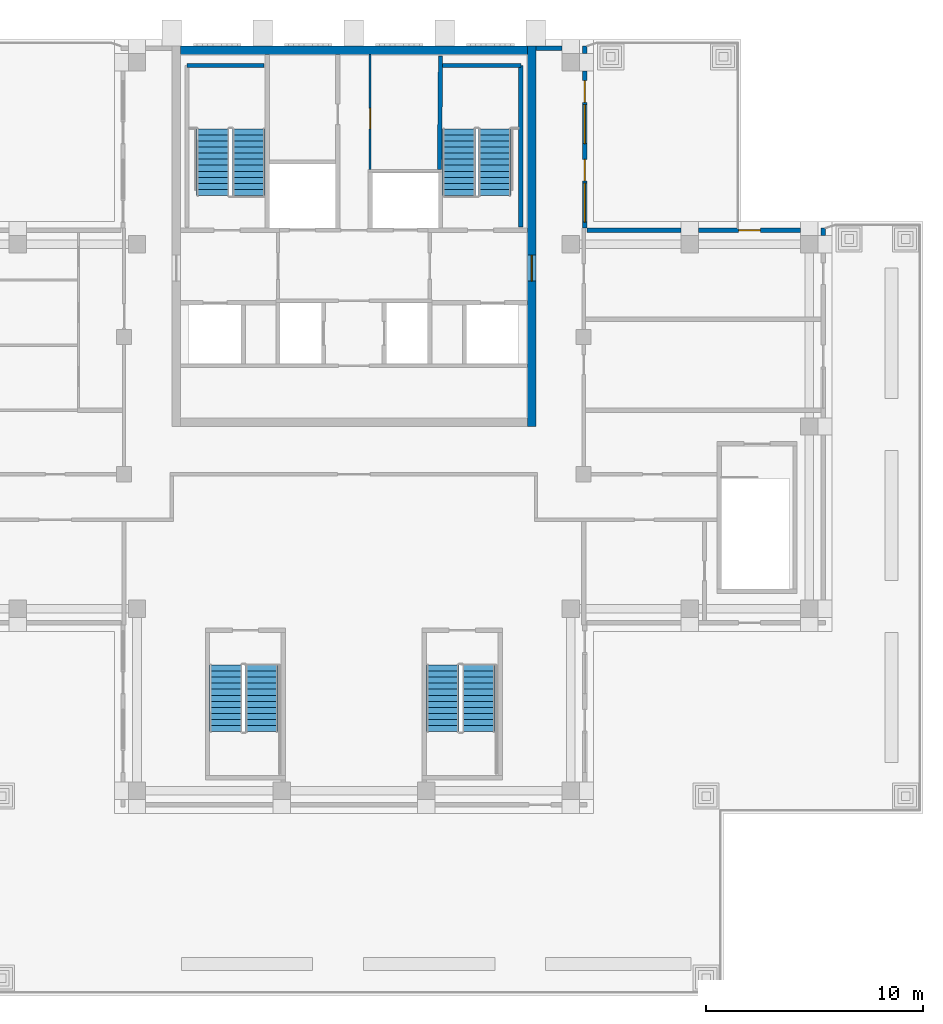
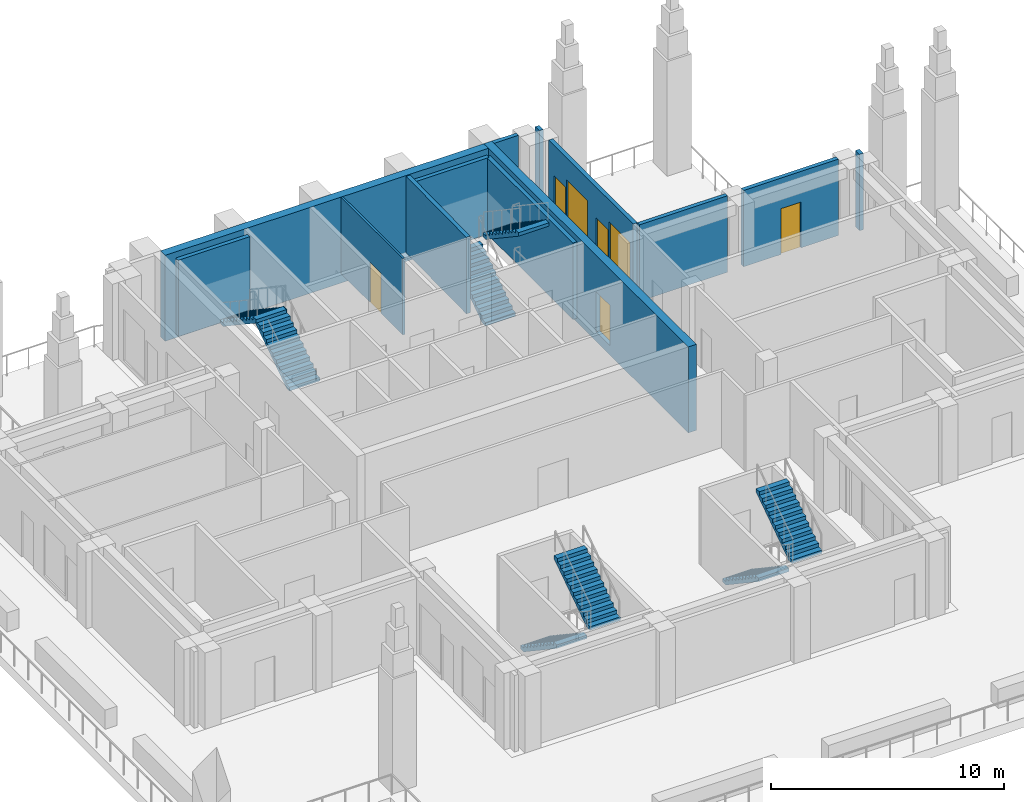
# One storey, part 5 of 10: 13 walls, 8 stair flights, 5 doors, 2 windows, 7 openings, 4 elements without a shape of their own.
"""IFC4 building model written with IfcOpenShell, lengths in metres."""

from ifc_helpers import new_model, si_unit, direction, frame, frame_2d, origin, place, context, subcontext, project, spatial, polyline, rectangle, outline, extrude, material, layer, layer_set, type_object, element, fill, aggregate, save


model = new_model("IFC4")

# Units and contexts
model_context = context("Model", 3, precision=1e-05, world=origin(), true_north=direction((0.0, 1.0)))
body_context = subcontext(model_context, "Body", "Model", "MODEL_VIEW")
ifc_project = project(units=[si_unit("LENGTHUNIT", "METRE"), si_unit("AREAUNIT", "SQUARE_METRE"), si_unit("VOLUMEUNIT", "CUBIC_METRE"), si_unit("PLANEANGLEUNIT", "RADIAN"), si_unit("MASSUNIT", "GRAM", prefix="KILO")], contexts=[model_context])

# Site, building, storey
site_placement = place(None, origin())
site = spatial("IfcSite", under=ifc_project, at=site_placement, CompositionType="ELEMENT")
building_placement = place(site_placement, origin())
building = spatial("IfcBuilding", under=site, at=building_placement, Name="Vermilion Ogive Tower", CompositionType="ELEMENT")
storey_placement = place(building_placement, frame((0.0, 0.0, 269.35009765625)))
storey = spatial("IfcBuildingStorey", under=building, at=storey_placement, Name="L71", CompositionType="ELEMENT", Elevation=269.35009765625)

# Wall, opening, door
ifc_material_1 = material(Name="Concrete B60", Category="concrete")
ifc_layer_1 = layer(ifc_material_1, 0.39990234375)
ifc_layer_set_1 = layer_set([ifc_layer_1], Name="Core wall 400 B60")
wall_type_1 = type_object("IfcWallType", Name="Core wall 400 B60", PredefinedType="SHEAR", material=ifc_layer_set_1)
wall_1_placement = place(storey_placement, frame((8.199951171875, 4.199951171875, -0.5), z_axis=(0.0, 0.0, 1.0), x_axis=(0.0, 1.0, 0.0)))
wall_1 = element("IfcWall", 1, at=wall_1_placement, inside=storey, type_object=wall_type_1, Name="L71-CORE-E", PredefinedType="SHEAR", context=body_context, shape_type="SweptSolid", body=[
    extrude(rectangle(XDim=17.550048828125, YDim=0.39990234375, at=frame_2d((8.77490234375, 0.0))), origin(), (0.0, 0.0, 1.0), 4.5),
])
opening_1_placement = place(wall_1_placement, frame((6.699951171875, 0.0, 0.5)))
opening_1 = element("IfcOpeningElement", 2, at=opening_1_placement, cuts=wall_1, Name="Opening DAY001", PredefinedType="OPENING", context=body_context, shape_type="SweptSolid", body=[
    extrude(rectangle(XDim=1.199951171875, YDim=2.10009765625, at=frame_2d((0.60009765625, 1.050048828125))), frame((0.0, 0.2099609375, 0.0), z_axis=(0.0, -1.0, 0.0), x_axis=(1.0, 0.0, 0.0)), (0.0, 0.0, 1.0), 0.419921875),
])
ifc_material_2 = material(Name="Timber door leaf", Category="wood")
door_type_1 = type_object("IfcDoorType", Name="Link door 1200 x 2100 FD60S", OperationType="SINGLE_SWING_LEFT", PredefinedType="DOOR", material=ifc_material_2)
door_1_placement = place(opening_1_placement, origin())
door_1 = element("IfcDoor", 3, at=door_1_placement, inside=storey, type_object=door_type_1, Name="L71-CK-XD2", OperationType="SINGLE_SWING_LEFT", OverallHeight=2.10009765625, OverallWidth=1.199951171875, PredefinedType="DOOR", context=body_context, shape_type="SweptSolid", body=[
    extrude(rectangle(XDim=1.199951171875, YDim=2.10009765625, at=frame_2d((0.60009765625, 1.050048828125))), frame((0.0, 0.02490234375, 0.0), z_axis=(0.0, -1.0, 0.0), x_axis=(1.0, 0.0, 0.0)), (0.0, 0.0, 1.0), 0.050048828125),
])
fill(opening_1, door_1)

# Wall
wall_2_placement = place(storey_placement, frame((-8.0, 21.550048828125, -0.5), z_axis=(0.0, 0.0, 1.0), x_axis=(1.0, 0.0, 0.0)))
element("IfcWall", 4, at=wall_2_placement, inside=storey, type_object=wall_type_1, Name="L71-CORE-N", PredefinedType="SHEAR", context=body_context, shape_type="SweptSolid", body=[
    extrude(rectangle(XDim=16.0, YDim=0.39990234375, at=frame_2d((8.0, 0.0))), origin(), (0.0, 0.0, 1.0), 4.5),
])

# Wall, opening, door
ifc_material_3 = material(Name="Gypsum board partition on steel studs", Category="steel")
ifc_layer_2 = layer(ifc_material_3, 0.10009765625)
ifc_layer_set_2 = layer_set([ifc_layer_2], Name="Partition 100 bath")
wall_type_2 = type_object("IfcWallType", Name="Partition 100 bath", PredefinedType="PARTITIONING", material=ifc_layer_set_2)
wall_3_placement = place(storey_placement, frame((0.75, 16.050048828125, 0.0), z_axis=(0.0, 0.0, 1.0), x_axis=(0.0, 1.0, 0.0)))
wall_3 = element("IfcWall", 5, at=wall_3_placement, inside=storey, type_object=wall_type_2, Name="L71-CK-W-W017", PredefinedType="PARTITIONING", context=body_context, shape_type="SweptSolid", body=[
    extrude(rectangle(XDim=5.299072265625, YDim=0.10009765625, at=frame_2d((2.6494140625, 0.0))), origin(), (0.0, 0.0, 1.0), 4.0),
])
opening_2_placement = place(wall_3_placement, frame((1.875, 0.0, 0.0)))
opening_2 = element("IfcOpeningElement", 6, at=opening_2_placement, cuts=wall_3, Name="Opening DAE007", PredefinedType="OPENING", context=body_context, shape_type="SweptSolid", body=[
    extrude(rectangle(XDim=0.949951171875, YDim=2.10009765625, at=frame_2d((0.47509765625, 1.050048828125))), frame((0.0, 0.06005859375, 0.0), z_axis=(0.0, -1.0, 0.0), x_axis=(1.0, 0.0, 0.0)), (0.0, 0.0, 1.0), 0.1201171875),
])
ifc_material_4 = material(Name="Timber door leaf", Category="wood")
door_type_2 = type_object("IfcDoorType", Name="Service door 950 x 2100 FD60", OperationType="SINGLE_SWING_LEFT", PredefinedType="DOOR", material=ifc_material_4)
door_2_placement = place(opening_2_placement, origin())
door_2 = element("IfcDoor", 7, at=door_2_placement, inside=storey, type_object=door_type_2, Name="L71-CK-D-D013", OperationType="SINGLE_SWING_LEFT", OverallHeight=2.10009765625, OverallWidth=0.949951171875, PredefinedType="DOOR", context=body_context, shape_type="SweptSolid", body=[
    extrude(rectangle(XDim=0.949951171875, YDim=2.10009765625, at=frame_2d((0.47509765625, 1.050048828125))), frame((0.0, 0.02490234375, 0.0), z_axis=(0.0, -1.0, 0.0), x_axis=(1.0, 0.0, 0.0)), (0.0, 0.0, 1.0), 0.050048828125),
])
fill(opening_2, door_2)

# Walls
ifc_material_5 = material(Name="Concrete B60", Category="concrete")
ifc_layer_3 = layer(ifc_material_5, 0.199951171875)
ifc_layer_set_3 = layer_set([ifc_layer_3], Name="Stair shaft wall 200 Concrete B60")
wall_type_3 = type_object("IfcWallType", Name="Stair shaft wall 200 Concrete B60", PredefinedType="SOLIDWALL", material=ifc_layer_set_3)
wall_4_placement = place(storey_placement, frame((3.949951171875, 16.050048828125, 0.0), z_axis=(0.0, 0.0, 1.0), x_axis=(0.009534450323, 0.999954546095, 0.0)))
element("IfcWall", 8, at=wall_4_placement, inside=storey, type_object=wall_type_3, Name="L71-CK-W-W022", PredefinedType="SOLIDWALL", context=body_context, shape_type="SweptSolid", body=[
    extrude(rectangle(XDim=5.249267578125, YDim=0.199951171875, at=frame_2d((2.62451171875, 0.0))), origin(), (0.0, 0.0, 1.0), 4.0),
])
wall_5_placement = place(storey_placement, frame((-7.699951171875, 20.85009765625, 0.0), z_axis=(0.0, 0.0, 1.0), x_axis=(1.0, 0.0, 0.0)))
element("IfcWall", 9, at=wall_5_placement, inside=storey, type_object=wall_type_3, Name="L71-SW-R003-N1", PredefinedType="SOLIDWALL", context=body_context, shape_type="SweptSolid", body=[
    extrude(rectangle(XDim=3.550048828125, YDim=0.199951171875, at=frame_2d((1.77490234375, 0.0))), origin(), (0.0, 0.0, 1.0), 4.0),
])
wall_6_placement = place(storey_placement, frame((7.699951171875, 13.39990234375, 0.0), z_axis=(0.0, 0.0, 1.0), x_axis=(0.0, 1.0, 0.0)))
element("IfcWall", 10, at=wall_6_placement, inside=storey, type_object=wall_type_3, Name="L71-SW-R007-E1", PredefinedType="SOLIDWALL", context=body_context, shape_type="SweptSolid", body=[
    extrude(rectangle(XDim=7.4501953125, YDim=0.199951171875, at=frame_2d((3.72509765625, 0.0))), origin(), (0.0, 0.0, 1.0), 4.0),
])
wall_7_placement = place(storey_placement, frame((4.10009765625, 20.85009765625, 0.0), z_axis=(0.0, 0.0, 1.0), x_axis=(1.0, 0.0, 0.0)))
element("IfcWall", 11, at=wall_7_placement, inside=storey, type_object=wall_type_3, Name="L71-SW-R007-N1", PredefinedType="SOLIDWALL", context=body_context, shape_type="SweptSolid", body=[
    extrude(rectangle(XDim=3.599853515625, YDim=0.199951171875, at=frame_2d((1.7998046875, 0.0))), origin(), (0.0, 0.0, 1.0), 4.0),
])
ifc_material_6 = material(Name="Aluminium window wall framing", Category="aluminium")
ifc_layer_4 = layer(ifc_material_6, 0.199951171875)
ifc_layer_set_4 = layer_set([ifc_layer_4], Name="Window wall")
wall_type_4 = type_object("IfcWallType", Name="Window wall", PredefinedType="STANDARD", material=ifc_layer_set_4)
wall_8_placement = place(storey_placement, frame((21.64990234375, 13.0, 0.0), z_axis=(0.0, 0.0, 1.0), x_axis=(0.0, 1.0, 0.0)))
element("IfcWall", 12, at=wall_8_placement, inside=storey, type_object=wall_type_4, Name="Window wall E3", PredefinedType="STANDARD", context=body_context, shape_type="SweptSolid", body=[
    extrude(rectangle(XDim=0.35009765625, YDim=0.199951171875, at=frame_2d((0.175048828125, 0.0))), origin(), (0.0, 0.0, 1.0), 4.0),
])

# Wall, opening, door
wall_9_placement = place(storey_placement, frame((20.60009765625, 13.25, 0.0), z_axis=(0.0, 0.0, 1.0), x_axis=(-1.0, 0.0, 0.0)))
wall_9 = element("IfcWall", 13, at=wall_9_placement, inside=storey, type_object=wall_type_4, Name="Window wall X31", PredefinedType="STANDARD", context=body_context, shape_type="SweptSolid", body=[
    extrude(rectangle(XDim=4.7001953125, YDim=0.199951171875, at=frame_2d((2.35009765625, 0.0))), origin(), (0.0, 0.0, 1.0), 4.0),
])
opening_3_placement = place(wall_9_placement, frame((1.85009765625, 0.0, 0.0)))
opening_3 = element("IfcOpeningElement", 14, at=opening_3_placement, cuts=wall_9, Name="Opening D1-X3X", PredefinedType="OPENING", context=body_context, shape_type="SweptSolid", body=[
    extrude(rectangle(XDim=1.0, YDim=2.39990234375, at=frame_2d((0.5, 1.199951171875))), frame((0.0, 0.10986328125, 0.0), z_axis=(0.0, -1.0, 0.0), x_axis=(1.0, 0.0, 0.0)), (0.0, 0.0, 1.0), 0.219970703125),
])
ifc_material_7 = material(Name="Aluminium framed glazed door", Category="aluminium")
door_type_3 = type_object("IfcDoorType", Name="Balcony door D1", OperationType="SINGLE_SWING_LEFT", PredefinedType="DOOR", material=ifc_material_7)
door_3_placement = place(opening_3_placement, origin())
door_3 = element("IfcDoor", 15, at=door_3_placement, inside=storey, type_object=door_type_3, Name="Balcony door X3X", OperationType="SINGLE_SWING_LEFT", OverallHeight=2.39990234375, OverallWidth=1.0, PredefinedType="DOOR", context=body_context, shape_type="SweptSolid", body=[
    extrude(rectangle(XDim=1.0, YDim=2.39990234375, at=frame_2d((0.5, 1.199951171875))), frame((0.0, 0.02490234375, 0.0), z_axis=(0.0, -1.0, 0.0), x_axis=(1.0, 0.0, 0.0)), (0.0, 0.0, 1.0), 0.050048828125),
])
fill(opening_3, door_3)

# Wall
wall_10_placement = place(storey_placement, frame((15.10009765625, 13.25, 0.0), z_axis=(0.0, 0.0, 1.0), x_axis=(-1.0, 0.0, 0.0)))
element("IfcWall", 16, at=wall_10_placement, inside=storey, type_object=wall_type_4, Name="Window wall X32", PredefinedType="STANDARD", context=body_context, shape_type="SweptSolid", body=[
    extrude(rectangle(XDim=4.35009765625, YDim=0.199951171875, at=frame_2d((2.175048828125, 0.0))), origin(), (0.0, 0.0, 1.0), 4.0),
])

# Wall, openings, doors, windows
wall_11_placement = place(storey_placement, frame((10.64990234375, 13.35009765625, 0.0), z_axis=(0.0, 0.0, 1.0), x_axis=(0.0, 1.0, 0.0)))
wall_11 = element("IfcWall", 17, at=wall_11_placement, inside=storey, type_object=wall_type_4, Name="Window wall X41", PredefinedType="STANDARD", context=body_context, shape_type="SweptSolid", body=[
    extrude(rectangle(XDim=7.25, YDim=0.199951171875, at=frame_2d((3.625, 0.0))), origin(), (0.0, 0.0, 1.0), 4.0),
])
opening_4_placement = place(wall_11_placement, frame((0.27490234375, 0.0, 0.199951171875)))
opening_4 = element("IfcOpeningElement", 18, at=opening_4_placement, cuts=wall_11, Name="Opening W1-X403", PredefinedType="OPENING", context=body_context, shape_type="SweptSolid", body=[
    extrude(rectangle(XDim=1.800048828125, YDim=2.64990234375, at=frame_2d((0.89990234375, 1.324951171875))), frame((0.0, 0.10986328125, 0.0), z_axis=(0.0, -1.0, 0.0), x_axis=(1.0, 0.0, 0.0)), (0.0, 0.0, 1.0), 0.219970703125),
])
opening_5_placement = place(wall_11_placement, frame((2.175048828125, 0.0, 0.0)))
opening_5 = element("IfcOpeningElement", 19, at=opening_5_placement, cuts=wall_11, Name="Opening D1-X403", PredefinedType="OPENING", context=body_context, shape_type="SweptSolid", body=[
    extrude(rectangle(XDim=1.0, YDim=2.39990234375, at=frame_2d((0.5, 1.199951171875))), frame((0.0, 0.10986328125, 0.0), z_axis=(0.0, -1.0, 0.0), x_axis=(1.0, 0.0, 0.0)), (0.0, 0.0, 1.0), 0.219970703125),
])
opening_6_placement = place(wall_11_placement, frame((3.89990234375, 0.0, 0.199951171875)))
opening_6 = element("IfcOpeningElement", 20, at=opening_6_placement, cuts=wall_11, Name="Opening W1-X404", PredefinedType="OPENING", context=body_context, shape_type="SweptSolid", body=[
    extrude(rectangle(XDim=1.800048828125, YDim=2.64990234375, at=frame_2d((0.89990234375, 1.324951171875))), frame((0.0, 0.10986328125, 0.0), z_axis=(0.0, -1.0, 0.0), x_axis=(1.0, 0.0, 0.0)), (0.0, 0.0, 1.0), 0.219970703125),
])
opening_7_placement = place(wall_11_placement, frame((5.800048828125, 0.0, 0.0)))
opening_7 = element("IfcOpeningElement", 21, at=opening_7_placement, cuts=wall_11, Name="Opening D1-X404", PredefinedType="OPENING", context=body_context, shape_type="SweptSolid", body=[
    extrude(rectangle(XDim=1.0, YDim=2.39990234375, at=frame_2d((0.5, 1.199951171875))), frame((0.0, 0.10986328125, 0.0), z_axis=(0.0, -1.0, 0.0), x_axis=(1.0, 0.0, 0.0)), (0.0, 0.0, 1.0), 0.219970703125),
])
door_4_placement = place(opening_5_placement, origin())
door_4 = element("IfcDoor", 22, at=door_4_placement, inside=storey, type_object=door_type_3, Name="Balcony door X403", OperationType="SINGLE_SWING_LEFT", OverallHeight=2.39990234375, OverallWidth=1.0, PredefinedType="DOOR", context=body_context, shape_type="SweptSolid", body=[
    extrude(rectangle(XDim=1.0, YDim=2.39990234375, at=frame_2d((0.5, 1.199951171875))), frame((0.0, 0.02490234375, 0.0), z_axis=(0.0, -1.0, 0.0), x_axis=(1.0, 0.0, 0.0)), (0.0, 0.0, 1.0), 0.050048828125),
])
fill(opening_5, door_4)
door_5_placement = place(opening_7_placement, origin())
door_5 = element("IfcDoor", 23, at=door_5_placement, inside=storey, type_object=door_type_3, Name="Balcony door X404", OperationType="SINGLE_SWING_LEFT", OverallHeight=2.39990234375, OverallWidth=1.0, PredefinedType="DOOR", context=body_context, shape_type="SweptSolid", body=[
    extrude(rectangle(XDim=1.0, YDim=2.39990234375, at=frame_2d((0.5, 1.199951171875))), frame((0.0, 0.02490234375, 0.0), z_axis=(0.0, -1.0, 0.0), x_axis=(1.0, 0.0, 0.0)), (0.0, 0.0, 1.0), 0.050048828125),
])
fill(opening_7, door_5)
ifc_material_8 = material(Name="Aluminium framed double glazing", Category="aluminium")
window_type = type_object("IfcWindowType", Name="Guest window W1", PartitioningType="SINGLE_PANEL", PredefinedType="WINDOW", material=ifc_material_8)
window_1_placement = place(opening_4_placement, origin())
window_1 = element("IfcWindow", 24, at=window_1_placement, inside=storey, type_object=window_type, Name="Window X403", OverallHeight=2.64990234375, OverallWidth=1.800048828125, PartitioningType="SINGLE_PANEL", PredefinedType="WINDOW", context=body_context, shape_type="SweptSolid", body=[
    extrude(rectangle(XDim=1.800048828125, YDim=2.64990234375, at=frame_2d((0.89990234375, 1.324951171875))), frame((0.0, 0.030029296875, 0.0), z_axis=(0.0, -1.0, 0.0), x_axis=(1.0, 0.0, 0.0)), (0.0, 0.0, 1.0), 0.06005859375),
])
fill(opening_4, window_1)
window_2_placement = place(opening_6_placement, origin())
window_2 = element("IfcWindow", 25, at=window_2_placement, inside=storey, type_object=window_type, Name="Window X404", OverallHeight=2.64990234375, OverallWidth=1.800048828125, PartitioningType="SINGLE_PANEL", PredefinedType="WINDOW", context=body_context, shape_type="SweptSolid", body=[
    extrude(rectangle(XDim=1.800048828125, YDim=2.64990234375, at=frame_2d((0.89990234375, 1.324951171875))), frame((0.0, 0.030029296875, 0.0), z_axis=(0.0, -1.0, 0.0), x_axis=(1.0, 0.0, 0.0)), (0.0, 0.0, 1.0), 0.06005859375),
])
fill(opening_6, window_2)

# Walls
wall_12_placement = place(storey_placement, frame((10.64990234375, 21.39990234375, 0.0), z_axis=(0.0, 0.0, 1.0), x_axis=(0.0, 1.0, 0.0)))
element("IfcWall", 26, at=wall_12_placement, inside=storey, type_object=wall_type_4, Name="Window wall X42", PredefinedType="STANDARD", context=body_context, shape_type="SweptSolid", body=[
    extrude(rectangle(XDim=0.35009765625, YDim=0.199951171875, at=frame_2d((0.175048828125, 0.0))), origin(), (0.0, 0.0, 1.0), 4.0),
])
wall_13_placement = place(storey_placement, frame((9.60009765625, 21.64990234375, 0.0), z_axis=(0.0, 0.0, 1.0), x_axis=(-1.0, 0.0, 0.0)))
element("IfcWall", 27, at=wall_13_placement, inside=storey, type_object=wall_type_4, Name="Window wall N11", PredefinedType="STANDARD", context=body_context, shape_type="SweptSolid", body=[
    extrude(rectangle(XDim=1.2001953125, YDim=0.199951171875, at=frame_2d((0.60009765625, 0.0))), origin(), (0.0, 0.0, 1.0), 4.0),
])

# Stair, stair flights
ifc_material_9 = material(Name="Concrete B40", Category="concrete")
stair_type = type_object("IfcStairType", Name="Exit stair 1500", PredefinedType="HALF_TURN_STAIR", material=ifc_material_9)
stair_1_placement = place(storey_placement, origin())
stair_1 = element("IfcStair", 28, at=stair_1_placement, inside=storey, type_object=stair_type, Name="L71 Exit Stair ST1", PredefinedType="HALF_TURN_STAIR")
ifc_material_10 = material(Name="Concrete B40", Category="concrete")
stair_flight_type = type_object("IfcStairFlightType", Name="Stair flight 1500", PredefinedType="STRAIGHT", material=ifc_material_10)
stair_flight_1_placement = place(storey_placement, frame((-4.85009765625, 14.85009765625, 0.0), z_axis=(0.0, 0.0, 1.0), x_axis=(0.0, 1.0, 0.0)))
stair_flight_1 = element("IfcStairFlight", 29, at=stair_flight_1_placement, type_object=stair_flight_type, Name="ST1 flight 1", NumberOfRisers=12, NumberOfTreads=11, PredefinedType="STRAIGHT", RiserHeight=0.1875, TreadLength=0.28, context=body_context, shape_type="SweptSolid", body=[
    extrude(outline(polyline([(0.0, 0.0), (0.0, 0.1875), (0.280029296875, 0.1875), (0.280029296875, 0.375), (0.56005859375, 0.375), (0.56005859375, 0.5625), (0.840087890625, 0.5625), (0.840087890625, 0.75), (1.1201171875, 0.75), (1.1201171875, 0.9375), (1.39990234375, 0.9375), (1.39990234375, 1.125), (1.679931640625, 1.125), (1.679931640625, 1.3125), (1.9599609375, 1.3125), (1.9599609375, 1.5), (2.239990234375, 1.5), (2.239990234375, 1.6875), (2.52001953125, 1.6875), (2.52001953125, 1.875), (2.800048828125, 1.875), (2.800048828125, 2.0625), (3.080078125, 2.0625), (3.080078125, 2.25), (3.080078125, 1.882080078125), (0.26953125, 0.0), (0.0, 0.0)])), frame((0.0, 0.75, 0.0), z_axis=(0.0, -1.0, 0.0), x_axis=(1.0, 0.0, 0.0)), (0.0, 0.0, 1.0), 1.5),
])
stair_flight_2_placement = place(storey_placement, frame((-6.5, 17.929931640625, 2.25), z_axis=(0.0, 0.0, 1.0), x_axis=(0.0, -1.0, 0.0)))
stair_flight_2 = element("IfcStairFlight", 30, at=stair_flight_2_placement, type_object=stair_flight_type, Name="ST1 flight 2", NumberOfRisers=12, NumberOfTreads=11, PredefinedType="STRAIGHT", RiserHeight=0.1875, TreadLength=0.28, context=body_context, shape_type="SweptSolid", body=[
    extrude(outline(polyline([(0.0, 0.0), (0.0, 0.1875), (0.280029296875, 0.1875), (0.280029296875, 0.375), (0.56005859375, 0.375), (0.56005859375, 0.5625), (0.840087890625, 0.5625), (0.840087890625, 0.75), (1.1201171875, 0.75), (1.1201171875, 0.9375), (1.39990234375, 0.9375), (1.39990234375, 1.125), (1.679931640625, 1.125), (1.679931640625, 1.3125), (1.9599609375, 1.3125), (1.9599609375, 1.5), (2.239990234375, 1.5), (2.239990234375, 1.6875), (2.52001953125, 1.6875), (2.52001953125, 1.875), (2.800048828125, 1.875), (2.800048828125, 2.0625), (3.080078125, 2.0625), (3.080078125, 2.25), (3.080078125, 1.882080078125), (0.26953125, 0.0), (0.0, 0.0)])), frame((0.0, 0.75, 0.0), z_axis=(0.0, -1.0, 0.0), x_axis=(1.0, 0.0, 0.0)), (0.0, 0.0, 1.0), 1.5),
])
aggregate(stair_1, [stair_flight_1, stair_flight_2])

stair_2_placement = place(storey_placement, origin())
stair_2 = element("IfcStair", 31, at=stair_2_placement, inside=storey, type_object=stair_type, Name="L71 Exit Stair ST2", PredefinedType="HALF_TURN_STAIR")
stair_flight_3_placement = place(storey_placement, frame((4.85009765625, 14.85009765625, 0.0), z_axis=(0.0, 0.0, 1.0), x_axis=(0.0, 1.0, 0.0)))
stair_flight_3 = element("IfcStairFlight", 32, at=stair_flight_3_placement, type_object=stair_flight_type, Name="ST2 flight 1", NumberOfRisers=12, NumberOfTreads=11, PredefinedType="STRAIGHT", RiserHeight=0.1875, TreadLength=0.28, context=body_context, shape_type="SweptSolid", body=[
    extrude(outline(polyline([(0.0, 0.0), (0.0, 0.1875), (0.280029296875, 0.1875), (0.280029296875, 0.375), (0.56005859375, 0.375), (0.56005859375, 0.5625), (0.840087890625, 0.5625), (0.840087890625, 0.75), (1.1201171875, 0.75), (1.1201171875, 0.9375), (1.39990234375, 0.9375), (1.39990234375, 1.125), (1.679931640625, 1.125), (1.679931640625, 1.3125), (1.9599609375, 1.3125), (1.9599609375, 1.5), (2.239990234375, 1.5), (2.239990234375, 1.6875), (2.52001953125, 1.6875), (2.52001953125, 1.875), (2.800048828125, 1.875), (2.800048828125, 2.0625), (3.080078125, 2.0625), (3.080078125, 2.25), (3.080078125, 1.882080078125), (0.26953125, 0.0), (0.0, 0.0)])), frame((0.0, 0.75, 0.0), z_axis=(0.0, -1.0, 0.0), x_axis=(1.0, 0.0, 0.0)), (0.0, 0.0, 1.0), 1.5),
])
stair_flight_4_placement = place(storey_placement, frame((6.5, 17.929931640625, 2.25), z_axis=(0.0, 0.0, 1.0), x_axis=(0.0, -1.0, 0.0)))
stair_flight_4 = element("IfcStairFlight", 33, at=stair_flight_4_placement, type_object=stair_flight_type, Name="ST2 flight 2", NumberOfRisers=12, NumberOfTreads=11, PredefinedType="STRAIGHT", RiserHeight=0.1875, TreadLength=0.28, context=body_context, shape_type="SweptSolid", body=[
    extrude(outline(polyline([(0.0, 0.0), (0.0, 0.1875), (0.280029296875, 0.1875), (0.280029296875, 0.375), (0.56005859375, 0.375), (0.56005859375, 0.5625), (0.840087890625, 0.5625), (0.840087890625, 0.75), (1.1201171875, 0.75), (1.1201171875, 0.9375), (1.39990234375, 0.9375), (1.39990234375, 1.125), (1.679931640625, 1.125), (1.679931640625, 1.3125), (1.9599609375, 1.3125), (1.9599609375, 1.5), (2.239990234375, 1.5), (2.239990234375, 1.6875), (2.52001953125, 1.6875), (2.52001953125, 1.875), (2.800048828125, 1.875), (2.800048828125, 2.0625), (3.080078125, 2.0625), (3.080078125, 2.25), (3.080078125, 1.882080078125), (0.26953125, 0.0), (0.0, 0.0)])), frame((0.0, 0.75, 0.0), z_axis=(0.0, -1.0, 0.0), x_axis=(1.0, 0.0, 0.0)), (0.0, 0.0, 1.0), 1.5),
])
aggregate(stair_2, [stair_flight_3, stair_flight_4])

stair_3_placement = place(storey_placement, origin())
stair_3 = element("IfcStair", 34, at=stair_3_placement, inside=storey, type_object=stair_type, Name="L71 Exit Stair ST6", PredefinedType="HALF_TURN_STAIR")
stair_flight_5_placement = place(storey_placement, frame((4.10009765625, -6.800048828125, 0.0), z_axis=(0.0, 0.0, 1.0), x_axis=(0.0, -1.0, 0.0)))
stair_flight_5 = element("IfcStairFlight", 35, at=stair_flight_5_placement, type_object=stair_flight_type, Name="ST6 flight 1", NumberOfRisers=12, NumberOfTreads=11, PredefinedType="STRAIGHT", RiserHeight=0.1875, TreadLength=0.28, context=body_context, shape_type="SweptSolid", body=[
    extrude(outline(polyline([(0.0, 0.0), (0.0, 0.1875), (0.280029296875, 0.1875), (0.280029296875, 0.375), (0.56005859375, 0.375), (0.56005859375, 0.5625), (0.840087890625, 0.5625), (0.840087890625, 0.75), (1.1201171875, 0.75), (1.1201171875, 0.9375), (1.39990234375, 0.9375), (1.39990234375, 1.125), (1.679931640625, 1.125), (1.679931640625, 1.3125), (1.9599609375, 1.3125), (1.9599609375, 1.5), (2.239990234375, 1.5), (2.239990234375, 1.6875), (2.52001953125, 1.6875), (2.52001953125, 1.875), (2.800048828125, 1.875), (2.800048828125, 2.0625), (3.080078125, 2.0625), (3.080078125, 2.25), (3.080078125, 1.882080078125), (0.26953125, 0.0), (0.0, 0.0)])), frame((0.0, 0.75, 0.0), z_axis=(0.0, -1.0, 0.0), x_axis=(1.0, 0.0, 0.0)), (0.0, 0.0, 1.0), 1.5),
])
stair_flight_6_placement = place(storey_placement, frame((5.75, -9.8798828125, 2.25), z_axis=(0.0, 0.0, 1.0), x_axis=(0.0, 1.0, 0.0)))
stair_flight_6 = element("IfcStairFlight", 36, at=stair_flight_6_placement, type_object=stair_flight_type, Name="ST6 flight 2", NumberOfRisers=12, NumberOfTreads=11, PredefinedType="STRAIGHT", RiserHeight=0.1875, TreadLength=0.28, context=body_context, shape_type="SweptSolid", body=[
    extrude(outline(polyline([(0.0, 0.0), (0.0, 0.1875), (0.280029296875, 0.1875), (0.280029296875, 0.375), (0.56005859375, 0.375), (0.56005859375, 0.5625), (0.840087890625, 0.5625), (0.840087890625, 0.75), (1.1201171875, 0.75), (1.1201171875, 0.9375), (1.39990234375, 0.9375), (1.39990234375, 1.125), (1.679931640625, 1.125), (1.679931640625, 1.3125), (1.9599609375, 1.3125), (1.9599609375, 1.5), (2.239990234375, 1.5), (2.239990234375, 1.6875), (2.52001953125, 1.6875), (2.52001953125, 1.875), (2.800048828125, 1.875), (2.800048828125, 2.0625), (3.080078125, 2.0625), (3.080078125, 2.25), (3.080078125, 1.882080078125), (0.26953125, 0.0), (0.0, 0.0)])), frame((0.0, 0.75, 0.0), z_axis=(0.0, -1.0, 0.0), x_axis=(1.0, 0.0, 0.0)), (0.0, 0.0, 1.0), 1.5),
])
aggregate(stair_3, [stair_flight_5, stair_flight_6])

stair_4_placement = place(storey_placement, origin())
stair_4 = element("IfcStair", 37, at=stair_4_placement, inside=storey, type_object=stair_type, Name="L71 Exit Stair ST7", PredefinedType="HALF_TURN_STAIR")
stair_flight_7_placement = place(storey_placement, frame((-5.89990234375, -6.800048828125, 0.0), z_axis=(0.0, 0.0, 1.0), x_axis=(0.0, -1.0, 0.0)))
stair_flight_7 = element("IfcStairFlight", 38, at=stair_flight_7_placement, type_object=stair_flight_type, Name="ST7 flight 1", NumberOfRisers=12, NumberOfTreads=11, PredefinedType="STRAIGHT", RiserHeight=0.1875, TreadLength=0.28, context=body_context, shape_type="SweptSolid", body=[
    extrude(outline(polyline([(0.0, 0.0), (0.0, 0.1875), (0.280029296875, 0.1875), (0.280029296875, 0.375), (0.56005859375, 0.375), (0.56005859375, 0.5625), (0.840087890625, 0.5625), (0.840087890625, 0.75), (1.1201171875, 0.75), (1.1201171875, 0.9375), (1.39990234375, 0.9375), (1.39990234375, 1.125), (1.679931640625, 1.125), (1.679931640625, 1.3125), (1.9599609375, 1.3125), (1.9599609375, 1.5), (2.239990234375, 1.5), (2.239990234375, 1.6875), (2.52001953125, 1.6875), (2.52001953125, 1.875), (2.800048828125, 1.875), (2.800048828125, 2.0625), (3.080078125, 2.0625), (3.080078125, 2.25), (3.080078125, 1.882080078125), (0.26953125, 0.0), (0.0, 0.0)])), frame((0.0, 0.75, 0.0), z_axis=(0.0, -1.0, 0.0), x_axis=(1.0, 0.0, 0.0)), (0.0, 0.0, 1.0), 1.5),
])
stair_flight_8_placement = place(storey_placement, frame((-4.25, -9.8798828125, 2.25), z_axis=(0.0, 0.0, 1.0), x_axis=(0.0, 1.0, 0.0)))
stair_flight_8 = element("IfcStairFlight", 39, at=stair_flight_8_placement, type_object=stair_flight_type, Name="ST7 flight 2", NumberOfRisers=12, NumberOfTreads=11, PredefinedType="STRAIGHT", RiserHeight=0.1875, TreadLength=0.28, context=body_context, shape_type="SweptSolid", body=[
    extrude(outline(polyline([(0.0, 0.0), (0.0, 0.1875), (0.280029296875, 0.1875), (0.280029296875, 0.375), (0.56005859375, 0.375), (0.56005859375, 0.5625), (0.840087890625, 0.5625), (0.840087890625, 0.75), (1.1201171875, 0.75), (1.1201171875, 0.9375), (1.39990234375, 0.9375), (1.39990234375, 1.125), (1.679931640625, 1.125), (1.679931640625, 1.3125), (1.9599609375, 1.3125), (1.9599609375, 1.5), (2.239990234375, 1.5), (2.239990234375, 1.6875), (2.52001953125, 1.6875), (2.52001953125, 1.875), (2.800048828125, 1.875), (2.800048828125, 2.0625), (3.080078125, 2.0625), (3.080078125, 2.25), (3.080078125, 1.882080078125), (0.26953125, 0.0), (0.0, 0.0)])), frame((0.0, 0.75, 0.0), z_axis=(0.0, -1.0, 0.0), x_axis=(1.0, 0.0, 0.0)), (0.0, 0.0, 1.0), 1.5),
])
aggregate(stair_4, [stair_flight_7, stair_flight_8])

save(model, "model.ifc")
